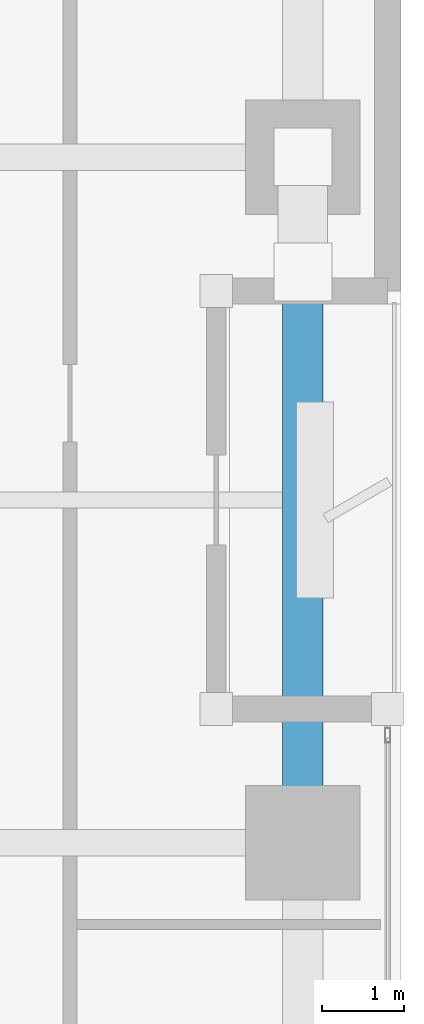
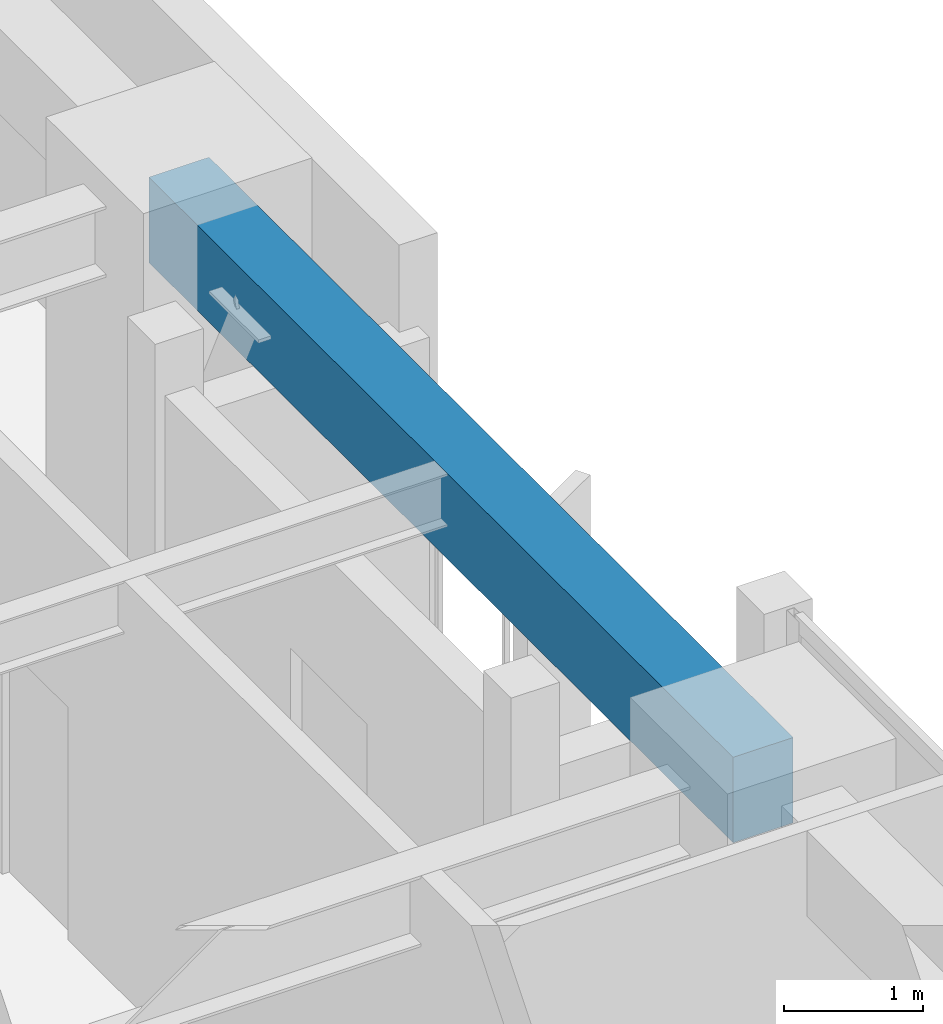
# One storey, part 7 of 24: 1 beam.
"""IFC4 building model written with IfcOpenShell, lengths in metres."""

from ifc_helpers import new_model, si_unit, direction, frame, origin, origin_2d, place, context, subcontext, project, spatial, rectangle, extrude, material, material_profile, profile_set, type_object, element, save


model = new_model("IFC4")

# Units and contexts
model_context = context("Model", 3, precision=1e-05, world=origin(), true_north=direction((0.0, 1.0)))
body_context = subcontext(model_context, "Body", "Model", "MODEL_VIEW")
ifc_project = project(units=[si_unit("LENGTHUNIT", "METRE"), si_unit("AREAUNIT", "SQUARE_METRE"), si_unit("VOLUMEUNIT", "CUBIC_METRE"), si_unit("PLANEANGLEUNIT", "RADIAN"), si_unit("MASSUNIT", "GRAM", prefix="KILO")], contexts=[model_context])

# Site, building, storey
site_placement = place(None, origin())
site = spatial("IfcSite", under=ifc_project, at=site_placement, CompositionType="ELEMENT")
building_placement = place(site_placement, origin())
building = spatial("IfcBuilding", under=site, at=building_placement, Name="Kiyonajd Concourse Tower", CompositionType="ELEMENT")
storey_placement = place(building_placement, frame((0.0, 0.0, 93.60009765625)))
storey = spatial("IfcBuildingStorey", under=building, at=storey_placement, Name="L24", CompositionType="ELEMENT", Elevation=93.60009765625)

# Beam
ifc_material = material(Name="Precast concrete C50/60", Category="concrete")
ifc_material_profile = material_profile(ifc_material, rectangle(XDim=0.5, YDim=0.75, at=origin_2d()), Name="RCBM-500x750")
ifc_profile_set = profile_set([ifc_material_profile], Name="Precast concrete C50/60")
beam_type = type_object("IfcBeamType", Name="BM-SPAN-RC", PredefinedType="SPANDREL", material=ifc_profile_set)
beam_placement = place(storey_placement, frame((69.60009765625, 36.0, 3.264892578125), z_axis=(0.0, 1.0, 0.0), x_axis=(-1.0, 0.0, 0.0)))
element("IfcBeam", 1, at=beam_placement, inside=storey, type_object=beam_type, Name="L24 Perimeter Bundled Tube Spandrel", PredefinedType="SPANDREL", context=body_context, shape_type="SweptSolid", body=[
    extrude(rectangle(XDim=0.5, YDim=0.75, at=origin_2d()), origin(), (0.0, 0.0, 1.0), 8.39990234375),
])

save(model, "model.ifc")
